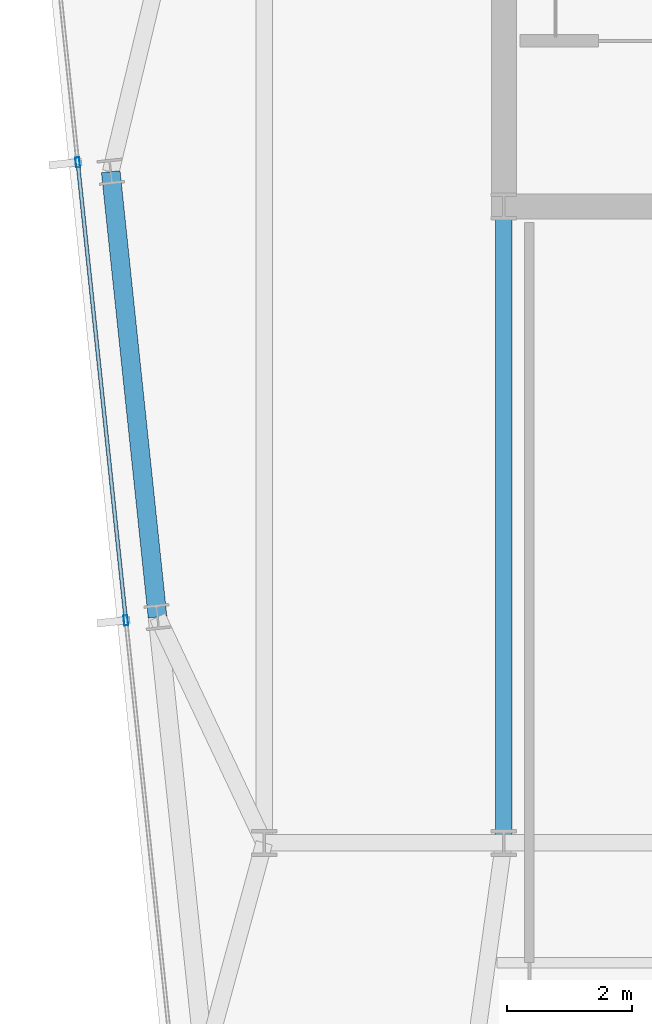
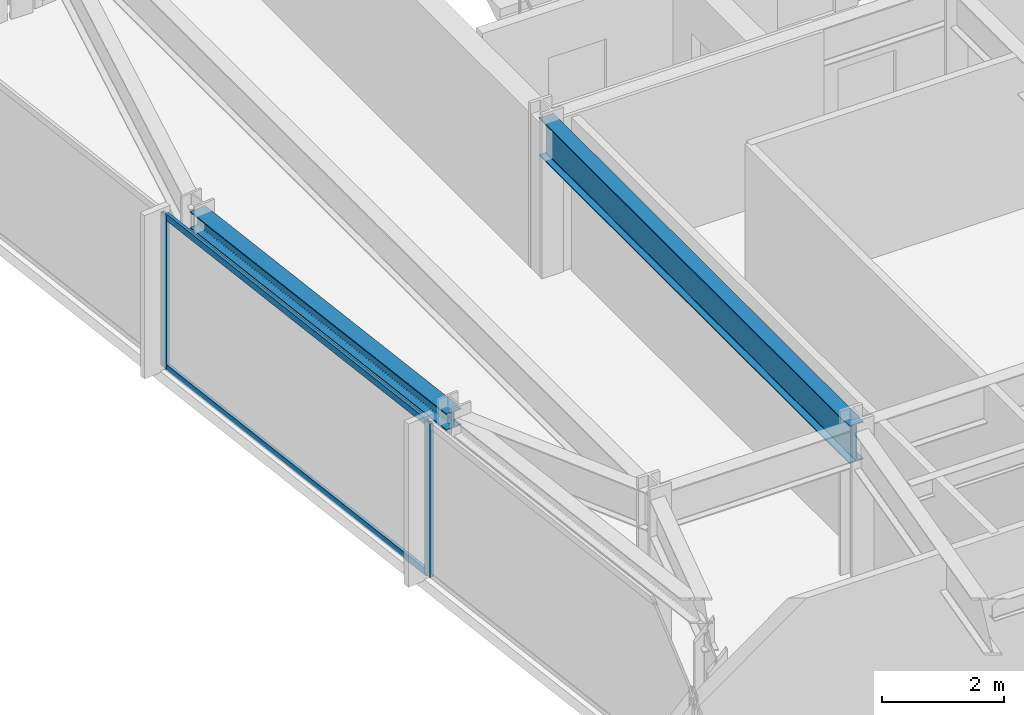
# One storey, part 10 of 33: 4 members, 2 beams, 1 element without a shape of its own.
"""IFC4 building model written with IfcOpenShell, lengths in metres."""

import ifcopenshell
import ifcopenshell.guid

model = None  # the IFC model being written
_history = None  # IfcOwnerHistory: only IFC2X3 demands one
_inside = {}  # id of a spatial element -> (the spatial element, [elements in it])
_under = {}  # id of a project, library or spatial element -> (it, [spatial elements below it])
_declared = {}  # id of a project -> (the project, [libraries it declares])
_typed = {}  # id of a type object -> (the type object, [elements of that type])
_made_of = {}  # id of a material, layer set ... -> (it, [elements and type objects made of it])


def new_model(schema):
    """Start an empty IFC model of exactly this schema.

    Asked for "IFC4X3", IfcOpenShell would pick the latest addendum, in which some entities
    have other attributes; the version numbers below select the first issue.
    IFC2X3 requires an IfcOwnerHistory on every rooted entity: one is made here for all.
    """
    global model, _history
    if schema == "IFC4X3":
        model = ifcopenshell.file(schema_version=(4, 3, 0, 0))
    else:
        model = ifcopenshell.file(schema=schema)
    _inside.clear()
    _under.clear()
    _declared.clear()
    _typed.clear()
    _made_of.clear()
    _history = None
    if model.schema == "IFC2X3":
        org = make("IfcOrganization", Name="unknown")
        user = make(
            "IfcPersonAndOrganization",
            ThePerson=make("IfcPerson", FamilyName="unknown"),
            TheOrganization=org,
        )
        app = make(
            "IfcApplication",
            ApplicationDeveloper=org,
            Version="unknown",
            ApplicationFullName="unknown",
            ApplicationIdentifier="unknown",
        )
        _history = make(
            "IfcOwnerHistory",
            OwningUser=user,
            OwningApplication=app,
            ChangeAction="ADDED",
            CreationDate=0,
        )
    return model


def make(cls, **values):
    """One entity of the class cls with the attributes given. An attribute that is None is left unset."""
    return model.create_entity(
        cls, **{name: value for name, value in values.items() if value is not None}
    )


def rooted(cls, **values):
    """An entity with a GlobalId (a new one), such as an element, a storey or a relation."""
    return make(cls, GlobalId=ifcopenshell.guid.new(), OwnerHistory=_history, **values)


def si_unit(unit_type, name, prefix=None):
    """IfcSIUnit, for example si_unit("LENGTHUNIT", "METRE", prefix="MILLI")."""
    return make("IfcSIUnit", UnitType=unit_type, Prefix=prefix, Name=name)


def assignment(units):
    """IfcUnitAssignment: the units of a project."""
    return None if units is None else make("IfcUnitAssignment", Units=units)


def point(xyz):
    """IfcCartesianPoint."""
    return None if xyz is None else make("IfcCartesianPoint", Coordinates=xyz)


def direction(xyz):
    """IfcDirection."""
    return None if xyz is None else make("IfcDirection", DirectionRatios=xyz)


def frame(location, z_axis=None, x_axis=None):
    """IfcAxis2Placement3D, a coordinate frame: its origin and axes. An axis left out is left unset."""
    return make(
        "IfcAxis2Placement3D",
        Location=point(location),
        Axis=direction(z_axis),
        RefDirection=direction(x_axis),
    )


def frame_2d(location, x_axis=None):
    """IfcAxis2Placement2D, a coordinate frame in the plane: its origin and x axis."""
    return make(
        "IfcAxis2Placement2D", Location=point(location), RefDirection=direction(x_axis)
    )


def origin():
    """The frame at (0, 0, 0) with its axes left unset."""
    return frame((0.0, 0.0, 0.0))


def origin_2d():
    """The frame at (0, 0) in the plane with its x axis left unset."""
    return frame_2d((0.0, 0.0))


def place(relative_to, where):
    """IfcLocalPlacement: puts the frame where relative to a parent placement (None: the world)."""
    return make(
        "IfcLocalPlacement", PlacementRelTo=relative_to, RelativePlacement=where
    )


def context(
    kind, dimensions, precision=None, world=None, true_north=None, identifier=None
):
    """IfcGeometricRepresentationContext, for example the 3D "Model" context."""
    return make(
        "IfcGeometricRepresentationContext",
        ContextIdentifier=identifier,
        ContextType=kind,
        CoordinateSpaceDimension=dimensions,
        Precision=precision,
        WorldCoordinateSystem=world,
        TrueNorth=true_north,
    )


def subcontext(parent, identifier, kind, view, scale=None):
    """IfcGeometricRepresentationSubContext, for example "Body" below "Model"."""
    return make(
        "IfcGeometricRepresentationSubContext",
        ContextIdentifier=identifier,
        ContextType=kind,
        ParentContext=parent,
        TargetScale=scale,
        TargetView=view,
    )


def project(units=None, contexts=None):
    """IfcProject with its units and contexts."""
    return rooted(
        "IfcProject",
        Name="project",
        RepresentationContexts=contexts,
        UnitsInContext=assignment(units),
    )


def spatial(cls, under=None, at=None, **own):
    """A site, building, storey or space (cls), placed at a placement, below another one or the project."""
    s = rooted(cls, ObjectPlacement=at, **own)
    if under is not None:
        _under.setdefault(under.id(), (under, []))[1].append(s)
    return s


def profile(cls, at=None, kind="AREA", **sizes):
    """A parametric profile (cls). Its sizes go by their IFC names, for example OverallWidth=200.0."""
    return make(cls, ProfileType=kind, Position=at, **sizes)


def hollow_rectangle(**sizes):
    """IfcRectangleHollowProfileDef."""
    return profile("IfcRectangleHollowProfileDef", **sizes)


def i_section(**sizes):
    """IfcIShapeProfileDef."""
    return profile("IfcIShapeProfileDef", **sizes)


def extrude(swept, where, along, depth):
    """IfcExtrudedAreaSolid: the profile swept, set in the frame where, extruded along a direction by depth."""
    return make(
        "IfcExtrudedAreaSolid",
        SweptArea=swept,
        Position=where,
        ExtrudedDirection=direction(along),
        Depth=depth,
    )


def shape(context_of_items, identifier, shape_type, items):
    """IfcShapeRepresentation: the items that make up one representation, for example the "Body"."""
    return make(
        "IfcShapeRepresentation",
        ContextOfItems=context_of_items,
        RepresentationIdentifier=identifier,
        RepresentationType=shape_type,
        Items=items,
    )


def material(Name=None, Category=None):
    """IfcMaterial."""
    return make("IfcMaterial", Name=Name, Category=Category)


def material_profile(
    of_material, cross_section, Name=None, Category=None, Priority=None
):
    """IfcMaterialProfile: a cross section and its material."""
    return make(
        "IfcMaterialProfile",
        Name=Name,
        Material=of_material,
        Profile=cross_section,
        Priority=Priority,
        Category=Category,
    )


def profile_set(profiles, Name=None, composite=None):
    """IfcMaterialProfileSet."""
    return make(
        "IfcMaterialProfileSet",
        Name=Name,
        MaterialProfiles=profiles,
        CompositeProfile=composite,
    )


def made_of(thing, what):
    """Note that an element or type object is made of a material, layer set ...; save() writes the relation."""
    if what is not None:
        _made_of.setdefault(what.id(), (what, []))[1].append(thing)
    return thing


def type_object(cls, material=None, **own):
    """A type object (cls), such as IfcWallType, which elements share."""
    return made_of(rooted(cls, **own), material)


def element(
    cls,
    number,
    at=None,
    inside=None,
    cuts=None,
    type_object=None,
    material=None,
    context=None,
    identifier="Body",
    shape_type=None,
    held_by="IfcProductDefinitionShape",
    body=None,
    shapes=None,
    **own,
):
    """One element of the class cls, such as IfcWall. Its Tag is "e" and its number.

    at: its placement. inside: the storey or other place that contains it. cuts: it is an
    opening in that element (IfcRelVoidsElement). A single representation is given by context,
    identifier, shape_type and body (its items); several are given by shapes. held_by: the class
    of the entity that holds the representations. save() writes the other relations.
    """
    e = rooted(cls, Tag="e%d" % number, ObjectPlacement=at, **own)
    if body is not None:
        shapes = [shape(context, identifier, shape_type, body)]
    if shapes is not None:
        e.Representation = make(held_by, Representations=shapes)
    if inside is not None:
        _inside.setdefault(inside.id(), (inside, []))[1].append(e)
    if cuts is not None:
        rooted(
            "IfcRelVoidsElement", RelatingBuildingElement=cuts, RelatedOpeningElement=e
        )
    if type_object is not None:
        _typed.setdefault(type_object.id(), (type_object, []))[1].append(e)
    return made_of(e, material)


def aggregate(whole, parts):
    """IfcRelAggregates: a whole, such as a stair, and the parts it consists of."""
    return rooted("IfcRelAggregates", RelatingObject=whole, RelatedObjects=parts)


def save(model, path):
    """Write the relations noted so far, then the file.

    IfcRelAggregates (storeys below a building ...), IfcRelContainedInSpatialStructure (elements
    in a storey), IfcRelDefinesByType, IfcRelAssociatesMaterial and IfcRelDeclares: one each for
    every whole, place, type object, material and project.
    """
    for whole, parts in _under.values():
        aggregate(whole, parts)
    for where, things in _inside.values():
        rooted(
            "IfcRelContainedInSpatialStructure",
            RelatedElements=things,
            RelatingStructure=where,
        )
    for kind, things in _typed.values():
        rooted("IfcRelDefinesByType", RelatedObjects=things, RelatingType=kind)
    for what, things in _made_of.values():
        rooted("IfcRelAssociatesMaterial", RelatedObjects=things, RelatingMaterial=what)
    for by, libraries in _declared.values():
        rooted("IfcRelDeclares", RelatingContext=by, RelatedDefinitions=libraries)
    model.write(path)


model = new_model("IFC4")

# Units and contexts
model_context = context("Model", 3, precision=1e-05, world=origin(), true_north=direction((0.0, 1.0)))
body_context = subcontext(model_context, "Body", "Model", "MODEL_VIEW")
ifc_project = project(units=[si_unit("LENGTHUNIT", "METRE"), si_unit("AREAUNIT", "SQUARE_METRE"), si_unit("VOLUMEUNIT", "CUBIC_METRE"), si_unit("PLANEANGLEUNIT", "RADIAN"), si_unit("MASSUNIT", "GRAM", prefix="KILO")], contexts=[model_context])

# Site, building, storey
site_placement = place(None, origin())
site = spatial("IfcSite", under=ifc_project, at=site_placement, CompositionType="ELEMENT")
building_placement = place(site_placement, origin())
building = spatial("IfcBuilding", under=site, at=building_placement, Name="Yelkora Congress Tower", CompositionType="ELEMENT")
storey_placement = place(building_placement, frame((0.0, 0.0, 230.89990234375)))
storey = spatial("IfcBuildingStorey", under=building, at=storey_placement, Name="L64", CompositionType="ELEMENT", Elevation=230.89990234375)

# Beams
ifc_material_1 = material(Name="Steel S355J2", Category="steel")
ifc_material_profile_1 = material_profile(ifc_material_1, i_section(OverallWidth=0.26708984375, OverallDepth=0.761962890625, WebThickness=0.014404296875, FlangeThickness=0.021484375, FilletRadius=0.01708984375, at=origin_2d()), Name="IPE 750x173")
ifc_profile_set_1 = profile_set([ifc_material_profile_1], Name="Steel S355J2")
beam_type_1 = type_object("IfcBeamType", Name="BM-GIRD-IPE750", PredefinedType="BEAM", material=ifc_profile_set_1)
beam_1_placement = place(storey_placement, frame((23.0400390625, 25.199951171875, 2.69921875), z_axis=(0.0, 1.0, 0.0), x_axis=(-1.0, 0.0, 0.0)))
element("IfcBeam", 1, at=beam_1_placement, inside=storey, type_object=beam_type_1, Name="L64 Core Tie Girder MC-D1", PredefinedType="BEAM", context=body_context, shape_type="SweptSolid", body=[
    extrude(i_section(OverallWidth=0.26708984375, OverallDepth=0.761962890625, WebThickness=0.014404296875, FlangeThickness=0.021484375, FilletRadius=0.01708984375, at=origin_2d()), origin(), (0.0, 0.0, 1.0), 10.199951171875),
])
ifc_material_profile_2 = material_profile(ifc_material_1, i_section(OverallWidth=0.300048828125, OverallDepth=0.340087890625, WebThickness=0.011962890625, FlangeThickness=0.021484375, FilletRadius=0.027099609375, at=origin_2d()), Name="HEB 340")
ifc_profile_set_2 = profile_set([ifc_material_profile_2], Name="Steel S355J2")
beam_type_2 = type_object("IfcBeamType", Name="BM-SPAN-HEB340", PredefinedType="SPANDREL", material=ifc_profile_set_2)
beam_2_placement = place(storey_placement, frame((16.7412109375, 35.95458984375, 2.91015625), z_axis=(0.104528914631, -0.994521847928, 0.0), x_axis=(0.994521847928, 0.104528914631, 0.0)))
element("IfcBeam", 2, at=beam_2_placement, inside=storey, type_object=beam_type_2, Name="L64 Perimeter Beam 17", PredefinedType="SPANDREL", context=body_context, shape_type="SweptSolid", body=[
    extrude(i_section(OverallWidth=0.300048828125, OverallDepth=0.340087890625, WebThickness=0.011962890625, FlangeThickness=0.021484375, FilletRadius=0.027099609375, at=origin_2d()), origin(), (0.0, 0.0, 1.0), 7.175048828125),
])

# Curtain wall, members
ifc_material_2 = material(Name="Anodised aluminium and insulated glass", Category="aluminium")
curtain_wall_type = type_object("IfcCurtainWallType", Name="CW-SYS-B4", PredefinedType="NOTDEFINED", material=ifc_material_2)
curtain_wall_placement = place(storey_placement, origin())
curtain_wall = element("IfcCurtainWall", 3, at=curtain_wall_placement, inside=storey, type_object=curtain_wall_type, Name="L64 Unitised Curtain Wall 5", PredefinedType="NOTDEFINED")
ifc_material_3 = material(Name="Anodised aluminium 6063-T6", Category="aluminium")
ifc_material_profile_3 = material_profile(ifc_material_3, hollow_rectangle(XDim=0.06494140625, YDim=0.159912109375, WallThickness=0.00390625, at=origin_2d()), Name="ALU 65x160x4")
ifc_profile_set_3 = profile_set([ifc_material_profile_3], Name="Anodised aluminium 6063-T6")
member_type_1 = type_object("IfcMemberType", Name="MEM-ML-B4", PredefinedType="MULLION", material=ifc_profile_set_3)
member_1_placement = place(storey_placement, frame((16.98388671875, 28.765625, 0.0), z_axis=(0.0, 0.0, 1.0), x_axis=(-0.994522145958, -0.104526079034, 0.0)))
member_1 = element("IfcMember", 4, at=member_1_placement, type_object=member_type_1, Name="CW-B4 mullion 3", PredefinedType="MULLION", context=body_context, shape_type="SweptSolid", body=[
    extrude(hollow_rectangle(XDim=0.06494140625, YDim=0.159912109375, WallThickness=0.00390625, at=origin_2d()), origin(), (0.0, 0.0, 1.0), 3.080078125),
])
member_2_placement = place(storey_placement, frame((16.21240234375, 36.105224609375, 0.0), z_axis=(0.0, 0.0, 1.0), x_axis=(-0.994522145958, -0.104526079034, 0.0)))
member_2 = element("IfcMember", 5, at=member_2_placement, type_object=member_type_1, Name="CW-B4 mullion 4", PredefinedType="MULLION", context=body_context, shape_type="SweptSolid", body=[
    extrude(hollow_rectangle(XDim=0.06494140625, YDim=0.159912109375, WallThickness=0.00390625, at=origin_2d()), origin(), (0.0, 0.0, 1.0), 3.080078125),
])
ifc_material_profile_4 = material_profile(ifc_material_3, hollow_rectangle(XDim=0.06005859375, YDim=0.1298828125, WallThickness=0.00390625, at=origin_2d()), Name="ALU 60x130x4")
ifc_profile_set_4 = profile_set([ifc_material_profile_4], Name="Anodised aluminium 6063-T6")
member_type_2 = type_object("IfcMemberType", Name="MEM-TR-B4", PredefinedType="USERDEFINED", material=ifc_profile_set_4)
member_3_placement = place(storey_placement, frame((16.98046875, 28.7978515625, 0.030029296875), z_axis=(-0.104531896307, 0.994521534535, 0.0), x_axis=(-0.994521534535, -0.104531896307, 0.0)))
member_3 = element("IfcMember", 6, at=member_3_placement, type_object=member_type_2, Name="CW-B4 transom 3.1", ObjectType="TRANSOM", PredefinedType="USERDEFINED", context=body_context, shape_type="SweptSolid", body=[
    extrude(hollow_rectangle(XDim=0.06005859375, YDim=0.1298828125, WallThickness=0.00390625, at=origin_2d()), origin(), (0.0, 0.0, 1.0), 7.31494140625),
])
member_4_placement = place(storey_placement, frame((16.98046875, 28.7978515625, 3.050048828125), z_axis=(-0.104531896307, 0.994521534535, 0.0), x_axis=(-0.994521534535, -0.104531896307, 0.0)))
member_4 = element("IfcMember", 7, at=member_4_placement, type_object=member_type_2, Name="CW-B4 transom 3.2", ObjectType="TRANSOM", PredefinedType="USERDEFINED", context=body_context, shape_type="SweptSolid", body=[
    extrude(hollow_rectangle(XDim=0.06005859375, YDim=0.1298828125, WallThickness=0.00390625, at=origin_2d()), origin(), (0.0, 0.0, 1.0), 7.31494140625),
])
aggregate(curtain_wall, [member_1, member_2, member_3, member_4])

save(model, "model.ifc")
